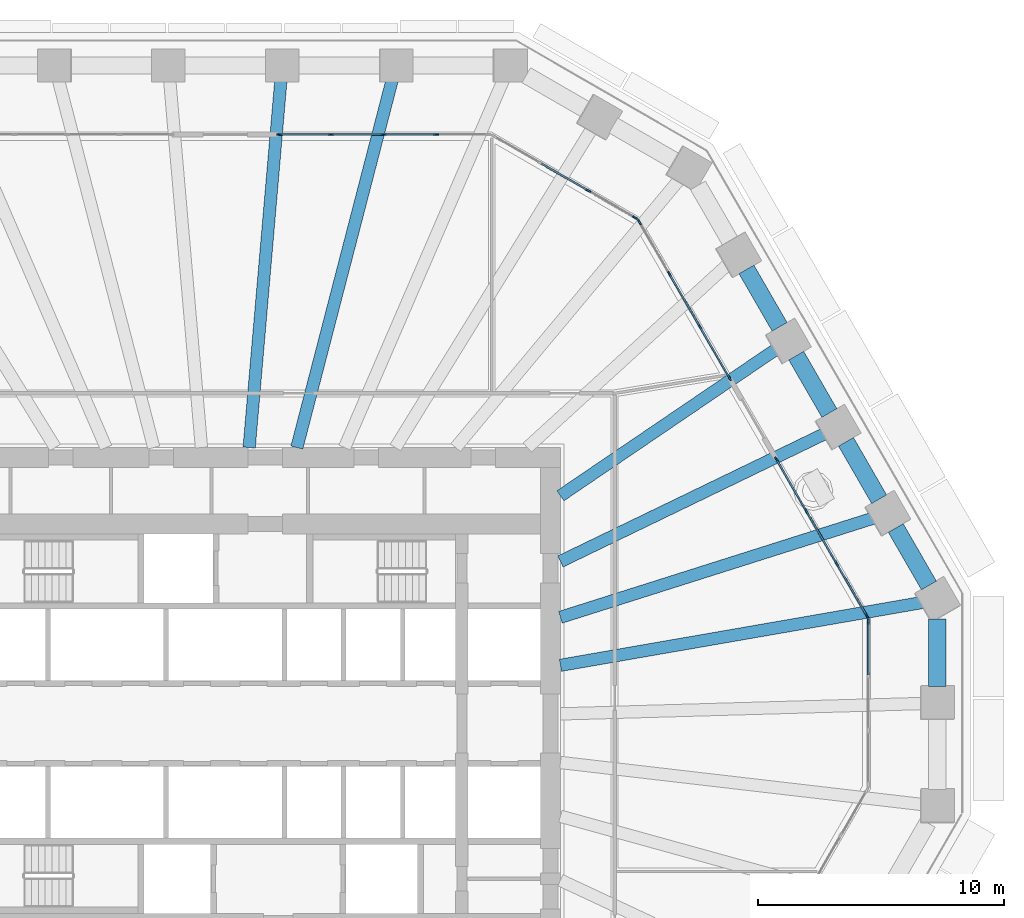
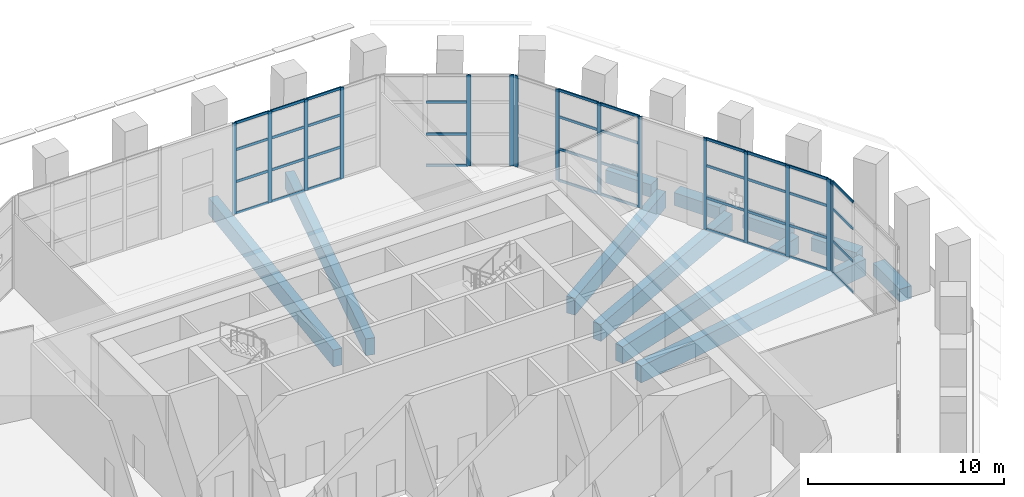
# One storey, part 8 of 22: 54 members, 11 beams, 5 elements without a shape of their own.
"""IFC4 building model written with IfcOpenShell, lengths in metres."""

from ifc_helpers import new_model, si_unit, direction, frame, origin, origin_2d, place, context, subcontext, project, spatial, rectangle, extrude, material, material_profile, profile_set, type_object, element, aggregate, save


model = new_model("IFC4")

# Units and contexts
model_context = context("Model", 3, precision=1e-05, world=origin(), true_north=direction((0.0, 1.0)))
body_context = subcontext(model_context, "Body", "Model", "MODEL_VIEW")
ifc_project = project(units=[si_unit("LENGTHUNIT", "METRE"), si_unit("AREAUNIT", "SQUARE_METRE"), si_unit("VOLUMEUNIT", "CUBIC_METRE"), si_unit("PLANEANGLEUNIT", "RADIAN"), si_unit("MASSUNIT", "GRAM", prefix="KILO")], contexts=[model_context])

# Site, building, storey
site_placement = place(None, origin())
site = spatial("IfcSite", under=ifc_project, at=site_placement, CompositionType="ELEMENT")
building_placement = place(site_placement, origin())
building = spatial("IfcBuilding", under=site, at=building_placement, Name="Frailejon Research Tower", CompositionType="ELEMENT")
storey_placement = place(building_placement, frame((0.0, 0.0, 107.199951171875)))
storey = spatial("IfcBuildingStorey", under=building, at=storey_placement, Name="L23", CompositionType="ELEMENT", Elevation=107.199951171875)

# Beams
ifc_material_1 = material(Name="Concrete C60/75", Category="concrete")
ifc_material_profile_1 = material_profile(ifc_material_1, rectangle(XDim=0.5, YDim=1.050048828125, at=origin_2d()), Name="Girder 500x1050")
ifc_profile_set_1 = profile_set([ifc_material_profile_1], Name="Concrete C60/75")
beam_type_1 = type_object("IfcBeamType", Name="Girder 500x1050", PredefinedType="BEAM", material=ifc_profile_set_1)
beam_1_placement = place(storey_placement, frame((28.331298828125, 4.919921875, -0.824951171875), z_axis=(-0.985255106545, -0.171091715249, 0.0), x_axis=(0.171091715249, -0.985255106545, 0.0)))
element("IfcBeam", 1, at=beam_1_placement, inside=storey, type_object=beam_type_1, Name="Girder 500x1050", PredefinedType="BEAM", context=body_context, shape_type="SweptSolid", body=[
    extrude(rectangle(XDim=0.5, YDim=1.050048828125, at=origin_2d()), origin(), (0.0, 0.0, 1.0), 14.95166015625),
])
beam_2_placement = place(storey_placement, frame((26.355712890625, 8.352783203125, -0.824951171875), z_axis=(-0.95327332269, -0.302109205832, 0.0), x_axis=(0.302109205832, -0.95327332269, 0.0)))
element("IfcBeam", 2, at=beam_2_placement, inside=storey, type_object=beam_type_1, Name="Girder 500x1050", PredefinedType="BEAM", context=body_context, shape_type="SweptSolid", body=[
    extrude(rectangle(XDim=0.5, YDim=1.050048828125, at=origin_2d()), origin(), (0.0, 0.0, 1.0), 13.380859375),
])
beam_3_placement = place(storey_placement, frame((24.377197265625, 11.785888671875, -0.824951171875), z_axis=(-0.900299270462, -0.435271436699, 0.0), x_axis=(0.435271436699, -0.900299270462, 0.0)))
element("IfcBeam", 3, at=beam_3_placement, inside=storey, type_object=beam_type_1, Name="Girder 500x1050", PredefinedType="BEAM", context=body_context, shape_type="SweptSolid", body=[
    extrude(rectangle(XDim=0.5, YDim=1.050048828125, at=origin_2d()), origin(), (0.0, 0.0, 1.0), 11.970458984375),
])
beam_4_placement = place(storey_placement, frame((22.3955078125, 15.21826171875, -0.824951171875), z_axis=(-0.827104527481, -0.562048130163, 0.0), x_axis=(0.562048130163, -0.827104527481, 0.0)))
element("IfcBeam", 4, at=beam_4_placement, inside=storey, type_object=beam_type_1, Name="Girder 500x1050", PredefinedType="BEAM", context=body_context, shape_type="SweptSolid", body=[
    extrude(rectangle(XDim=0.5, YDim=1.050048828125, at=origin_2d()), origin(), (0.0, 0.0, 1.0), 10.634033203125),
])
beam_5_placement = place(storey_placement, frame((6.785400390625, 26.170166015625, -0.824951171875), z_axis=(-0.25098790797, -0.967990222085, 0.0), x_axis=(0.967990222085, -0.25098790797, 0.0)))
element("IfcBeam", 5, at=beam_5_placement, inside=storey, type_object=beam_type_1, Name="Girder 500x1050", PredefinedType="BEAM", context=body_context, shape_type="SweptSolid", body=[
    extrude(rectangle(XDim=0.5, YDim=1.050048828125, at=origin_2d()), origin(), (0.0, 0.0, 1.0), 15.46533203125),
])
beam_6_placement = place(storey_placement, frame((2.26220703125, 26.17431640625, -0.824951171875), z_axis=(-0.086106007727, -0.996285980747, 0.0), x_axis=(0.996285980747, -0.086106007727, 0.0)))
element("IfcBeam", 6, at=beam_6_placement, inside=storey, type_object=beam_type_1, Name="Girder 500x1050", PredefinedType="BEAM", context=body_context, shape_type="SweptSolid", body=[
    extrude(rectangle(XDim=0.5, YDim=1.050048828125, at=origin_2d()), origin(), (0.0, 0.0, 1.0), 15.0302734375),
])

# Curtain wall, member
ifc_material_2 = material(Name="Aluminium curtain wall", Category="aluminium")
curtain_wall_type = type_object("IfcCurtainWallType", Name="Sky lobby curtain wall system", PredefinedType="NOTDEFINED", material=ifc_material_2)
curtain_wall_1_placement = place(storey_placement, origin())
curtain_wall_1 = element("IfcCurtainWall", 7, at=curtain_wall_1_placement, inside=storey, type_object=curtain_wall_type, Name="Curtain wall L23", PredefinedType="NOTDEFINED")
ifc_material_3 = material(Name="Aluminium extrusion", Category="aluminium")
ifc_material_profile_2 = material_profile(ifc_material_3, rectangle(XDim=0.070068359375, YDim=0.219970703125, at=origin_2d()), Name="Sky lobby curtain wall mullion 70x220")
ifc_profile_set_2 = profile_set([ifc_material_profile_2], Name="Aluminium extrusion")
member_type_1 = type_object("IfcMemberType", Name="Sky lobby curtain wall mullion 70x220", PredefinedType="MULLION", material=ifc_profile_set_2)
member_1_placement = place(storey_placement, frame((26.091796875, 4.132080078125, 0.0), z_axis=(0.0, 0.0, 1.0), x_axis=(-1.0, 0.0, 0.0)))
member_1 = element("IfcMember", 8, at=member_1_placement, type_object=member_type_1, Name="CW4-081 mullion 4", PredefinedType="MULLION", context=body_context, shape_type="SweptSolid", body=[
    extrude(rectangle(XDim=0.070068359375, YDim=0.219970703125, at=origin_2d()), origin(), (0.0, 0.0, 1.0), 5.699951171875),
])

# Curtain wall, members
curtain_wall_2_placement = place(storey_placement, origin())
curtain_wall_2 = element("IfcCurtainWall", 9, at=curtain_wall_2_placement, inside=storey, type_object=curtain_wall_type, Name="Curtain wall L23", PredefinedType="NOTDEFINED")
member_2_placement = place(storey_placement, frame((26.0244140625, 4.3837890625, 0.0), z_axis=(0.0, 0.0, 1.0), x_axis=(-0.866028320581, -0.499994947925, 0.0)))
member_2 = element("IfcMember", 10, at=member_2_placement, type_object=member_type_1, Name="CW4-082 mullion 1", PredefinedType="MULLION", context=body_context, shape_type="SweptSolid", body=[
    extrude(rectangle(XDim=0.070068359375, YDim=0.219970703125, at=origin_2d()), origin(), (0.0, 0.0, 1.0), 5.699951171875),
])
member_3_placement = place(storey_placement, frame((24.811767578125, 6.484130859375, 0.0), z_axis=(0.0, 0.0, 1.0), x_axis=(-0.866028320581, -0.499994947925, 0.0)))
member_3 = element("IfcMember", 11, at=member_3_placement, type_object=member_type_1, Name="CW4-082 mullion 2", PredefinedType="MULLION", context=body_context, shape_type="SweptSolid", body=[
    extrude(rectangle(XDim=0.070068359375, YDim=0.219970703125, at=origin_2d()), origin(), (0.0, 0.0, 1.0), 5.699951171875),
])
member_4_placement = place(storey_placement, frame((23.581787109375, 8.61474609375, 0.0), z_axis=(0.0, 0.0, 1.0), x_axis=(-0.866028320581, -0.499994947925, 0.0)))
member_4 = element("IfcMember", 12, at=member_4_placement, type_object=member_type_1, Name="CW4-082 mullion 3", PredefinedType="MULLION", context=body_context, shape_type="SweptSolid", body=[
    extrude(rectangle(XDim=0.070068359375, YDim=0.219970703125, at=origin_2d()), origin(), (0.0, 0.0, 1.0), 5.699951171875),
])
member_5_placement = place(storey_placement, frame((22.369140625, 10.715087890625, 0.0), z_axis=(0.0, 0.0, 1.0), x_axis=(-0.866028320581, -0.499994947925, 0.0)))
member_5 = element("IfcMember", 13, at=member_5_placement, type_object=member_type_1, Name="CW4-082 mullion 4", PredefinedType="MULLION", context=body_context, shape_type="SweptSolid", body=[
    extrude(rectangle(XDim=0.070068359375, YDim=0.219970703125, at=origin_2d()), origin(), (0.0, 0.0, 1.0), 5.699951171875),
])

curtain_wall_3_placement = place(storey_placement, origin())
curtain_wall_3 = element("IfcCurtainWall", 14, at=curtain_wall_3_placement, inside=storey, type_object=curtain_wall_type, Name="Curtain wall L23", PredefinedType="NOTDEFINED")
member_6_placement = place(storey_placement, frame((20.4638671875, 14.0146484375, 0.0), z_axis=(0.0, 0.0, 1.0), x_axis=(-0.866028320581, -0.499994947925, 0.0)))
member_6 = element("IfcMember", 15, at=member_6_placement, type_object=member_type_1, Name="CW4-083 mullion 1", PredefinedType="MULLION", context=body_context, shape_type="SweptSolid", body=[
    extrude(rectangle(XDim=0.070068359375, YDim=0.219970703125, at=origin_2d()), origin(), (0.0, 0.0, 1.0), 5.699951171875),
])
member_7_placement = place(storey_placement, frame((19.251220703125, 16.114990234375, 0.0), z_axis=(0.0, 0.0, 1.0), x_axis=(-0.866028320581, -0.499994947925, 0.0)))
member_7 = element("IfcMember", 16, at=member_7_placement, type_object=member_type_1, Name="CW4-083 mullion 2", PredefinedType="MULLION", context=body_context, shape_type="SweptSolid", body=[
    extrude(rectangle(XDim=0.070068359375, YDim=0.219970703125, at=origin_2d()), origin(), (0.0, 0.0, 1.0), 5.699951171875),
])
member_8_placement = place(storey_placement, frame((18.021240234375, 18.24560546875, 0.0), z_axis=(0.0, 0.0, 1.0), x_axis=(-0.866028320581, -0.499994947925, 0.0)))
member_8 = element("IfcMember", 17, at=member_8_placement, type_object=member_type_1, Name="CW4-083 mullion 3", PredefinedType="MULLION", context=body_context, shape_type="SweptSolid", body=[
    extrude(rectangle(XDim=0.070068359375, YDim=0.219970703125, at=origin_2d()), origin(), (0.0, 0.0, 1.0), 5.699951171875),
])
member_9_placement = place(storey_placement, frame((16.80859375, 20.345703125, 0.0), z_axis=(0.0, 0.0, 1.0), x_axis=(-0.866028320581, -0.499994947925, 0.0)))
member_9 = element("IfcMember", 18, at=member_9_placement, type_object=member_type_1, Name="CW4-083 mullion 4", PredefinedType="MULLION", context=body_context, shape_type="SweptSolid", body=[
    extrude(rectangle(XDim=0.070068359375, YDim=0.219970703125, at=origin_2d()), origin(), (0.0, 0.0, 1.0), 5.699951171875),
])

curtain_wall_4_placement = place(storey_placement, origin())
curtain_wall_4 = element("IfcCurtainWall", 19, at=curtain_wall_4_placement, inside=storey, type_object=curtain_wall_type, Name="Curtain wall L23", PredefinedType="NOTDEFINED")
member_10_placement = place(storey_placement, frame((16.624267578125, 20.5302734375, 0.0), z_axis=(0.0, 0.0, 1.0), x_axis=(-0.499998258782, -0.866026409075, 0.0)))
member_10 = element("IfcMember", 20, at=member_10_placement, type_object=member_type_1, Name="CW4-084 mullion 1", PredefinedType="MULLION", context=body_context, shape_type="SweptSolid", body=[
    extrude(rectangle(XDim=0.070068359375, YDim=0.219970703125, at=origin_2d()), origin(), (0.0, 0.0, 1.0), 5.699951171875),
])
member_11_placement = place(storey_placement, frame((14.727783203125, 21.625244140625, 0.0), z_axis=(0.0, 0.0, 1.0), x_axis=(-0.499998258782, -0.866026409075, 0.0)))
member_11 = element("IfcMember", 21, at=member_11_placement, type_object=member_type_1, Name="CW4-084 mullion 2", PredefinedType="MULLION", context=body_context, shape_type="SweptSolid", body=[
    extrude(rectangle(XDim=0.070068359375, YDim=0.219970703125, at=origin_2d()), origin(), (0.0, 0.0, 1.0), 5.699951171875),
])

curtain_wall_5_placement = place(storey_placement, origin())
curtain_wall_5 = element("IfcCurtainWall", 22, at=curtain_wall_5_placement, inside=storey, type_object=curtain_wall_type, Name="Curtain wall L23", PredefinedType="NOTDEFINED")
member_12_placement = place(storey_placement, frame((8.55517578125, 23.89990234375, 0.0), z_axis=(0.0, 0.0, 1.0), x_axis=(0.0, -1.0, 0.0)))
member_12 = element("IfcMember", 23, at=member_12_placement, type_object=member_type_1, Name="CW4-085 mullion 2", PredefinedType="MULLION", context=body_context, shape_type="SweptSolid", body=[
    extrude(rectangle(XDim=0.070068359375, YDim=0.219970703125, at=origin_2d()), origin(), (0.0, 0.0, 1.0), 5.699951171875),
])
member_13_placement = place(storey_placement, frame((6.422607421875, 23.89990234375, 0.0), z_axis=(0.0, 0.0, 1.0), x_axis=(0.0, -1.0, 0.0)))
member_13 = element("IfcMember", 24, at=member_13_placement, type_object=member_type_1, Name="CW4-085 mullion 3", PredefinedType="MULLION", context=body_context, shape_type="SweptSolid", body=[
    extrude(rectangle(XDim=0.070068359375, YDim=0.219970703125, at=origin_2d()), origin(), (0.0, 0.0, 1.0), 5.699951171875),
])
member_14_placement = place(storey_placement, frame((4.2900390625, 23.89990234375, 0.0), z_axis=(0.0, 0.0, 1.0), x_axis=(0.0, -1.0, 0.0)))
member_14 = element("IfcMember", 25, at=member_14_placement, type_object=member_type_1, Name="CW4-085 mullion 4", PredefinedType="MULLION", context=body_context, shape_type="SweptSolid", body=[
    extrude(rectangle(XDim=0.070068359375, YDim=0.219970703125, at=origin_2d()), origin(), (0.0, 0.0, 1.0), 5.699951171875),
])
member_15_placement = place(storey_placement, frame((2.1923828125, 23.89990234375, 0.0), z_axis=(0.0, 0.0, 1.0), x_axis=(0.0, -1.0, 0.0)))
member_15 = element("IfcMember", 26, at=member_15_placement, type_object=member_type_1, Name="CW4-085 mullion 5", PredefinedType="MULLION", context=body_context, shape_type="SweptSolid", body=[
    extrude(rectangle(XDim=0.070068359375, YDim=0.219970703125, at=origin_2d()), origin(), (0.0, 0.0, 1.0), 5.699951171875),
])

# Member
ifc_material_4 = material(Name="Aluminium extrusion", Category="aluminium")
ifc_material_profile_3 = material_profile(ifc_material_4, rectangle(XDim=0.070068359375, YDim=0.159912109375, at=origin_2d()), Name="Sky lobby curtain wall transom 70x160")
ifc_profile_set_3 = profile_set([ifc_material_profile_3], Name="Aluminium extrusion")
member_type_2 = type_object("IfcMemberType", Name="Sky lobby curtain wall transom 70x160", PredefinedType="USERDEFINED", material=ifc_profile_set_3)
member_16_placement = place(storey_placement, frame((26.091796875, 1.97705078125, 0.03515625), z_axis=(0.0, 1.0, 0.0), x_axis=(-1.0, 0.0, 0.0)))
member_16 = element("IfcMember", 27, at=member_16_placement, type_object=member_type_2, Name="CW4-081 transom 3.1", ObjectType="TRANSOM", PredefinedType="USERDEFINED", context=body_context, shape_type="SweptSolid", body=[
    extrude(rectangle(XDim=0.070068359375, YDim=0.159912109375, at=origin_2d()), origin(), (0.0, 0.0, 1.0), 2.119873046875),
])

member_17_placement = place(storey_placement, frame((26.091796875, 1.97705078125, 2.0), z_axis=(0.0, 1.0, 0.0), x_axis=(-1.0, 0.0, 0.0)))
member_17 = element("IfcMember", 28, at=member_17_placement, type_object=member_type_2, Name="CW4-081 transom 3.2", ObjectType="TRANSOM", PredefinedType="USERDEFINED", context=body_context, shape_type="SweptSolid", body=[
    extrude(rectangle(XDim=0.070068359375, YDim=0.159912109375, at=origin_2d()), origin(), (0.0, 0.0, 1.0), 2.119873046875),
])

member_18_placement = place(storey_placement, frame((26.091796875, 1.97705078125, 4.0), z_axis=(0.0, 1.0, 0.0), x_axis=(-1.0, 0.0, 0.0)))
member_18 = element("IfcMember", 29, at=member_18_placement, type_object=member_type_2, Name="CW4-081 transom 3.3", ObjectType="TRANSOM", PredefinedType="USERDEFINED", context=body_context, shape_type="SweptSolid", body=[
    extrude(rectangle(XDim=0.070068359375, YDim=0.159912109375, at=origin_2d()), origin(), (0.0, 0.0, 1.0), 2.119873046875),
])

member_19_placement = place(storey_placement, frame((26.091796875, 1.97705078125, 5.6650390625), z_axis=(0.0, 1.0, 0.0), x_axis=(-1.0, 0.0, 0.0)))
member_19 = element("IfcMember", 30, at=member_19_placement, type_object=member_type_2, Name="CW4-081 transom 3.4", ObjectType="TRANSOM", PredefinedType="USERDEFINED", context=body_context, shape_type="SweptSolid", body=[
    extrude(rectangle(XDim=0.070068359375, YDim=0.159912109375, at=origin_2d()), origin(), (0.0, 0.0, 1.0), 2.119873046875),
])

aggregate(curtain_wall_1, [member_1, member_16, member_17, member_18, member_19])

member_20_placement = place(storey_placement, frame((26.0068359375, 4.414306640625, 0.03515625), z_axis=(-0.499985682323, 0.866033669941, 0.0), x_axis=(-0.866033669941, -0.499985682323, 0.0)))
member_20 = element("IfcMember", 31, at=member_20_placement, type_object=member_type_2, Name="CW4-082 transom 1.1", ObjectType="TRANSOM", PredefinedType="USERDEFINED", context=body_context, shape_type="SweptSolid", body=[
    extrude(rectangle(XDim=0.070068359375, YDim=0.159912109375, at=origin_2d()), origin(), (0.0, 0.0, 1.0), 2.35498046875),
])

member_21_placement = place(storey_placement, frame((26.0068359375, 4.414306640625, 2.0), z_axis=(-0.499985682323, 0.866033669941, 0.0), x_axis=(-0.866033669941, -0.499985682323, 0.0)))
member_21 = element("IfcMember", 32, at=member_21_placement, type_object=member_type_2, Name="CW4-082 transom 1.2", ObjectType="TRANSOM", PredefinedType="USERDEFINED", context=body_context, shape_type="SweptSolid", body=[
    extrude(rectangle(XDim=0.070068359375, YDim=0.159912109375, at=origin_2d()), origin(), (0.0, 0.0, 1.0), 2.35498046875),
])

member_22_placement = place(storey_placement, frame((26.0068359375, 4.414306640625, 4.0), z_axis=(-0.499985682323, 0.866033669941, 0.0), x_axis=(-0.866033669941, -0.499985682323, 0.0)))
member_22 = element("IfcMember", 33, at=member_22_placement, type_object=member_type_2, Name="CW4-082 transom 1.3", ObjectType="TRANSOM", PredefinedType="USERDEFINED", context=body_context, shape_type="SweptSolid", body=[
    extrude(rectangle(XDim=0.070068359375, YDim=0.159912109375, at=origin_2d()), origin(), (0.0, 0.0, 1.0), 2.35498046875),
])

member_23_placement = place(storey_placement, frame((26.0068359375, 4.414306640625, 5.6650390625), z_axis=(-0.499985682323, 0.866033669941, 0.0), x_axis=(-0.866033669941, -0.499985682323, 0.0)))
member_23 = element("IfcMember", 34, at=member_23_placement, type_object=member_type_2, Name="CW4-082 transom 1.4", ObjectType="TRANSOM", PredefinedType="USERDEFINED", context=body_context, shape_type="SweptSolid", body=[
    extrude(rectangle(XDim=0.070068359375, YDim=0.159912109375, at=origin_2d()), origin(), (0.0, 0.0, 1.0), 2.35498046875),
])

member_24_placement = place(storey_placement, frame((24.794189453125, 6.514404296875, 0.03515625), z_axis=(-0.499972963492, 0.866041012757, 0.0), x_axis=(-0.866041012757, -0.499972963492, 0.0)))
member_24 = element("IfcMember", 35, at=member_24_placement, type_object=member_type_2, Name="CW4-082 transom 2.1", ObjectType="TRANSOM", PredefinedType="USERDEFINED", context=body_context, shape_type="SweptSolid", body=[
    extrude(rectangle(XDim=0.070068359375, YDim=0.159912109375, at=origin_2d()), origin(), (0.0, 0.0, 1.0), 2.390380859375),
])

member_25_placement = place(storey_placement, frame((24.794189453125, 6.514404296875, 2.0), z_axis=(-0.499972963492, 0.866041012757, 0.0), x_axis=(-0.866041012757, -0.499972963492, 0.0)))
member_25 = element("IfcMember", 36, at=member_25_placement, type_object=member_type_2, Name="CW4-082 transom 2.2", ObjectType="TRANSOM", PredefinedType="USERDEFINED", context=body_context, shape_type="SweptSolid", body=[
    extrude(rectangle(XDim=0.070068359375, YDim=0.159912109375, at=origin_2d()), origin(), (0.0, 0.0, 1.0), 2.390380859375),
])

member_26_placement = place(storey_placement, frame((24.794189453125, 6.514404296875, 4.0), z_axis=(-0.499972963492, 0.866041012757, 0.0), x_axis=(-0.866041012757, -0.499972963492, 0.0)))
member_26 = element("IfcMember", 37, at=member_26_placement, type_object=member_type_2, Name="CW4-082 transom 2.3", ObjectType="TRANSOM", PredefinedType="USERDEFINED", context=body_context, shape_type="SweptSolid", body=[
    extrude(rectangle(XDim=0.070068359375, YDim=0.159912109375, at=origin_2d()), origin(), (0.0, 0.0, 1.0), 2.390380859375),
])

member_27_placement = place(storey_placement, frame((24.794189453125, 6.514404296875, 5.6650390625), z_axis=(-0.499972963492, 0.866041012757, 0.0), x_axis=(-0.866041012757, -0.499972963492, 0.0)))
member_27 = element("IfcMember", 38, at=member_27_placement, type_object=member_type_2, Name="CW4-082 transom 2.4", ObjectType="TRANSOM", PredefinedType="USERDEFINED", context=body_context, shape_type="SweptSolid", body=[
    extrude(rectangle(XDim=0.070068359375, YDim=0.159912109375, at=origin_2d()), origin(), (0.0, 0.0, 1.0), 2.390380859375),
])

member_28_placement = place(storey_placement, frame((23.564208984375, 8.64501953125, 0.03515625), z_axis=(-0.499985682323, 0.866033669941, 0.0), x_axis=(-0.866033669941, -0.499985682323, 0.0)))
member_28 = element("IfcMember", 39, at=member_28_placement, type_object=member_type_2, Name="CW4-082 transom 3.1", ObjectType="TRANSOM", PredefinedType="USERDEFINED", context=body_context, shape_type="SweptSolid", body=[
    extrude(rectangle(XDim=0.070068359375, YDim=0.159912109375, at=origin_2d()), origin(), (0.0, 0.0, 1.0), 2.35498046875),
])

member_29_placement = place(storey_placement, frame((23.564208984375, 8.64501953125, 2.0), z_axis=(-0.499985682323, 0.866033669941, 0.0), x_axis=(-0.866033669941, -0.499985682323, 0.0)))
member_29 = element("IfcMember", 40, at=member_29_placement, type_object=member_type_2, Name="CW4-082 transom 3.2", ObjectType="TRANSOM", PredefinedType="USERDEFINED", context=body_context, shape_type="SweptSolid", body=[
    extrude(rectangle(XDim=0.070068359375, YDim=0.159912109375, at=origin_2d()), origin(), (0.0, 0.0, 1.0), 2.35498046875),
])

member_30_placement = place(storey_placement, frame((23.564208984375, 8.64501953125, 4.0), z_axis=(-0.499985682323, 0.866033669941, 0.0), x_axis=(-0.866033669941, -0.499985682323, 0.0)))
member_30 = element("IfcMember", 41, at=member_30_placement, type_object=member_type_2, Name="CW4-082 transom 3.3", ObjectType="TRANSOM", PredefinedType="USERDEFINED", context=body_context, shape_type="SweptSolid", body=[
    extrude(rectangle(XDim=0.070068359375, YDim=0.159912109375, at=origin_2d()), origin(), (0.0, 0.0, 1.0), 2.35498046875),
])

member_31_placement = place(storey_placement, frame((23.564208984375, 8.64501953125, 5.6650390625), z_axis=(-0.499985682323, 0.866033669941, 0.0), x_axis=(-0.866033669941, -0.499985682323, 0.0)))
member_31 = element("IfcMember", 42, at=member_31_placement, type_object=member_type_2, Name="CW4-082 transom 3.4", ObjectType="TRANSOM", PredefinedType="USERDEFINED", context=body_context, shape_type="SweptSolid", body=[
    extrude(rectangle(XDim=0.070068359375, YDim=0.159912109375, at=origin_2d()), origin(), (0.0, 0.0, 1.0), 2.35498046875),
])

aggregate(curtain_wall_2, [member_2, member_3, member_4, member_5, member_20, member_21, member_22, member_23, member_24, member_25, member_26, member_27, member_28, member_29, member_30, member_31])

member_32_placement = place(storey_placement, frame((20.4462890625, 14.044921875, 0.03515625), z_axis=(-0.499940797434, 0.866059581704, 0.0), x_axis=(-0.866059581704, -0.499940797434, 0.0)))
member_32 = element("IfcMember", 43, at=member_32_placement, type_object=member_type_2, Name="CW4-083 transom 1.1", ObjectType="TRANSOM", PredefinedType="USERDEFINED", context=body_context, shape_type="SweptSolid", body=[
    extrude(rectangle(XDim=0.070068359375, YDim=0.159912109375, at=origin_2d()), origin(), (0.0, 0.0, 1.0), 2.355224609375),
])

member_33_placement = place(storey_placement, frame((20.4462890625, 14.044921875, 2.0), z_axis=(-0.499940797434, 0.866059581704, 0.0), x_axis=(-0.866059581704, -0.499940797434, 0.0)))
member_33 = element("IfcMember", 44, at=member_33_placement, type_object=member_type_2, Name="CW4-083 transom 1.2", ObjectType="TRANSOM", PredefinedType="USERDEFINED", context=body_context, shape_type="SweptSolid", body=[
    extrude(rectangle(XDim=0.070068359375, YDim=0.159912109375, at=origin_2d()), origin(), (0.0, 0.0, 1.0), 2.355224609375),
])

member_34_placement = place(storey_placement, frame((20.4462890625, 14.044921875, 4.0), z_axis=(-0.499940797434, 0.866059581704, 0.0), x_axis=(-0.866059581704, -0.499940797434, 0.0)))
member_34 = element("IfcMember", 45, at=member_34_placement, type_object=member_type_2, Name="CW4-083 transom 1.3", ObjectType="TRANSOM", PredefinedType="USERDEFINED", context=body_context, shape_type="SweptSolid", body=[
    extrude(rectangle(XDim=0.070068359375, YDim=0.159912109375, at=origin_2d()), origin(), (0.0, 0.0, 1.0), 2.355224609375),
])

member_35_placement = place(storey_placement, frame((20.4462890625, 14.044921875, 5.6650390625), z_axis=(-0.499940797434, 0.866059581704, 0.0), x_axis=(-0.866059581704, -0.499940797434, 0.0)))
member_35 = element("IfcMember", 46, at=member_35_placement, type_object=member_type_2, Name="CW4-083 transom 1.4", ObjectType="TRANSOM", PredefinedType="USERDEFINED", context=body_context, shape_type="SweptSolid", body=[
    extrude(rectangle(XDim=0.070068359375, YDim=0.159912109375, at=origin_2d()), origin(), (0.0, 0.0, 1.0), 2.355224609375),
])

member_36_placement = place(storey_placement, frame((19.23388671875, 16.145263671875, 0.03515625), z_axis=(-0.499972963492, 0.866041012757, 0.0), x_axis=(-0.866041012757, -0.499972963492, 0.0)))
member_36 = element("IfcMember", 47, at=member_36_placement, type_object=member_type_2, Name="CW4-083 transom 2.1", ObjectType="TRANSOM", PredefinedType="USERDEFINED", context=body_context, shape_type="SweptSolid", body=[
    extrude(rectangle(XDim=0.070068359375, YDim=0.159912109375, at=origin_2d()), origin(), (0.0, 0.0, 1.0), 2.390380859375),
])

member_37_placement = place(storey_placement, frame((19.23388671875, 16.145263671875, 2.0), z_axis=(-0.499972963492, 0.866041012757, 0.0), x_axis=(-0.866041012757, -0.499972963492, 0.0)))
member_37 = element("IfcMember", 48, at=member_37_placement, type_object=member_type_2, Name="CW4-083 transom 2.2", ObjectType="TRANSOM", PredefinedType="USERDEFINED", context=body_context, shape_type="SweptSolid", body=[
    extrude(rectangle(XDim=0.070068359375, YDim=0.159912109375, at=origin_2d()), origin(), (0.0, 0.0, 1.0), 2.390380859375),
])

member_38_placement = place(storey_placement, frame((19.23388671875, 16.145263671875, 4.0), z_axis=(-0.499972963492, 0.866041012757, 0.0), x_axis=(-0.866041012757, -0.499972963492, 0.0)))
member_38 = element("IfcMember", 49, at=member_38_placement, type_object=member_type_2, Name="CW4-083 transom 2.3", ObjectType="TRANSOM", PredefinedType="USERDEFINED", context=body_context, shape_type="SweptSolid", body=[
    extrude(rectangle(XDim=0.070068359375, YDim=0.159912109375, at=origin_2d()), origin(), (0.0, 0.0, 1.0), 2.390380859375),
])

member_39_placement = place(storey_placement, frame((19.23388671875, 16.145263671875, 5.6650390625), z_axis=(-0.499972963492, 0.866041012757, 0.0), x_axis=(-0.866041012757, -0.499972963492, 0.0)))
member_39 = element("IfcMember", 50, at=member_39_placement, type_object=member_type_2, Name="CW4-083 transom 2.4", ObjectType="TRANSOM", PredefinedType="USERDEFINED", context=body_context, shape_type="SweptSolid", body=[
    extrude(rectangle(XDim=0.070068359375, YDim=0.159912109375, at=origin_2d()), origin(), (0.0, 0.0, 1.0), 2.390380859375),
])

aggregate(curtain_wall_3, [member_6, member_7, member_8, member_9, member_32, member_33, member_34, member_35, member_36, member_37, member_38, member_39])

member_40_placement = place(storey_placement, frame((14.697509765625, 21.642578125, 0.03515625), z_axis=(-0.866038426532, 0.499977443261, 0.0), x_axis=(-0.499977443261, -0.866038426532, 0.0)))
member_40 = element("IfcMember", 51, at=member_40_placement, type_object=member_type_2, Name="CW4-084 transom 2.1", ObjectType="TRANSOM", PredefinedType="USERDEFINED", context=body_context, shape_type="SweptSolid", body=[
    extrude(rectangle(XDim=0.070068359375, YDim=0.159912109375, at=origin_2d()), origin(), (0.0, 0.0, 1.0), 2.15478515625),
])

member_41_placement = place(storey_placement, frame((14.697509765625, 21.642578125, 2.0), z_axis=(-0.866038426532, 0.499977443261, 0.0), x_axis=(-0.499977443261, -0.866038426532, 0.0)))
member_41 = element("IfcMember", 52, at=member_41_placement, type_object=member_type_2, Name="CW4-084 transom 2.2", ObjectType="TRANSOM", PredefinedType="USERDEFINED", context=body_context, shape_type="SweptSolid", body=[
    extrude(rectangle(XDim=0.070068359375, YDim=0.159912109375, at=origin_2d()), origin(), (0.0, 0.0, 1.0), 2.15478515625),
])

member_42_placement = place(storey_placement, frame((14.697509765625, 21.642578125, 4.0), z_axis=(-0.866038426532, 0.499977443261, 0.0), x_axis=(-0.499977443261, -0.866038426532, 0.0)))
member_42 = element("IfcMember", 53, at=member_42_placement, type_object=member_type_2, Name="CW4-084 transom 2.3", ObjectType="TRANSOM", PredefinedType="USERDEFINED", context=body_context, shape_type="SweptSolid", body=[
    extrude(rectangle(XDim=0.070068359375, YDim=0.159912109375, at=origin_2d()), origin(), (0.0, 0.0, 1.0), 2.15478515625),
])

aggregate(curtain_wall_4, [member_10, member_11, member_40, member_41, member_42])

member_43_placement = place(storey_placement, frame((8.52001953125, 23.89990234375, 0.03515625), z_axis=(-1.0, 0.0, 0.0), x_axis=(0.0, -1.0, 0.0)))
member_43 = element("IfcMember", 54, at=member_43_placement, type_object=member_type_2, Name="CW4-085 transom 2.1", ObjectType="TRANSOM", PredefinedType="USERDEFINED", context=body_context, shape_type="SweptSolid", body=[
    extrude(rectangle(XDim=0.070068359375, YDim=0.159912109375, at=origin_2d()), origin(), (0.0, 0.0, 1.0), 2.0625),
])

member_44_placement = place(storey_placement, frame((8.52001953125, 23.89990234375, 2.0), z_axis=(-1.0, 0.0, 0.0), x_axis=(0.0, -1.0, 0.0)))
member_44 = element("IfcMember", 55, at=member_44_placement, type_object=member_type_2, Name="CW4-085 transom 2.2", ObjectType="TRANSOM", PredefinedType="USERDEFINED", context=body_context, shape_type="SweptSolid", body=[
    extrude(rectangle(XDim=0.070068359375, YDim=0.159912109375, at=origin_2d()), origin(), (0.0, 0.0, 1.0), 2.0625),
])

member_45_placement = place(storey_placement, frame((8.52001953125, 23.89990234375, 4.0), z_axis=(-1.0, 0.0, 0.0), x_axis=(0.0, -1.0, 0.0)))
member_45 = element("IfcMember", 56, at=member_45_placement, type_object=member_type_2, Name="CW4-085 transom 2.3", ObjectType="TRANSOM", PredefinedType="USERDEFINED", context=body_context, shape_type="SweptSolid", body=[
    extrude(rectangle(XDim=0.070068359375, YDim=0.159912109375, at=origin_2d()), origin(), (0.0, 0.0, 1.0), 2.0625),
])

member_46_placement = place(storey_placement, frame((8.52001953125, 23.89990234375, 5.6650390625), z_axis=(-1.0, 0.0, 0.0), x_axis=(0.0, -1.0, 0.0)))
member_46 = element("IfcMember", 57, at=member_46_placement, type_object=member_type_2, Name="CW4-085 transom 2.4", ObjectType="TRANSOM", PredefinedType="USERDEFINED", context=body_context, shape_type="SweptSolid", body=[
    extrude(rectangle(XDim=0.070068359375, YDim=0.159912109375, at=origin_2d()), origin(), (0.0, 0.0, 1.0), 2.0625),
])

member_47_placement = place(storey_placement, frame((6.387451171875, 23.89990234375, 0.03515625), z_axis=(-1.0, 0.0, 0.0), x_axis=(0.0, -1.0, 0.0)))
member_47 = element("IfcMember", 58, at=member_47_placement, type_object=member_type_2, Name="CW4-085 transom 3.1", ObjectType="TRANSOM", PredefinedType="USERDEFINED", context=body_context, shape_type="SweptSolid", body=[
    extrude(rectangle(XDim=0.070068359375, YDim=0.159912109375, at=origin_2d()), origin(), (0.0, 0.0, 1.0), 2.0625),
])

member_48_placement = place(storey_placement, frame((6.387451171875, 23.89990234375, 2.0), z_axis=(-1.0, 0.0, 0.0), x_axis=(0.0, -1.0, 0.0)))
member_48 = element("IfcMember", 59, at=member_48_placement, type_object=member_type_2, Name="CW4-085 transom 3.2", ObjectType="TRANSOM", PredefinedType="USERDEFINED", context=body_context, shape_type="SweptSolid", body=[
    extrude(rectangle(XDim=0.070068359375, YDim=0.159912109375, at=origin_2d()), origin(), (0.0, 0.0, 1.0), 2.0625),
])

member_49_placement = place(storey_placement, frame((6.387451171875, 23.89990234375, 4.0), z_axis=(-1.0, 0.0, 0.0), x_axis=(0.0, -1.0, 0.0)))
member_49 = element("IfcMember", 60, at=member_49_placement, type_object=member_type_2, Name="CW4-085 transom 3.3", ObjectType="TRANSOM", PredefinedType="USERDEFINED", context=body_context, shape_type="SweptSolid", body=[
    extrude(rectangle(XDim=0.070068359375, YDim=0.159912109375, at=origin_2d()), origin(), (0.0, 0.0, 1.0), 2.0625),
])

member_50_placement = place(storey_placement, frame((6.387451171875, 23.89990234375, 5.6650390625), z_axis=(-1.0, 0.0, 0.0), x_axis=(0.0, -1.0, 0.0)))
member_50 = element("IfcMember", 61, at=member_50_placement, type_object=member_type_2, Name="CW4-085 transom 3.4", ObjectType="TRANSOM", PredefinedType="USERDEFINED", context=body_context, shape_type="SweptSolid", body=[
    extrude(rectangle(XDim=0.070068359375, YDim=0.159912109375, at=origin_2d()), origin(), (0.0, 0.0, 1.0), 2.0625),
])

member_51_placement = place(storey_placement, frame((4.255126953125, 23.89990234375, 0.03515625), z_axis=(-1.0, 0.0, 0.0), x_axis=(0.0, -1.0, 0.0)))
member_51 = element("IfcMember", 62, at=member_51_placement, type_object=member_type_2, Name="CW4-085 transom 4.1", ObjectType="TRANSOM", PredefinedType="USERDEFINED", context=body_context, shape_type="SweptSolid", body=[
    extrude(rectangle(XDim=0.070068359375, YDim=0.159912109375, at=origin_2d()), origin(), (0.0, 0.0, 1.0), 2.027587890625),
])

member_52_placement = place(storey_placement, frame((4.255126953125, 23.89990234375, 2.0), z_axis=(-1.0, 0.0, 0.0), x_axis=(0.0, -1.0, 0.0)))
member_52 = element("IfcMember", 63, at=member_52_placement, type_object=member_type_2, Name="CW4-085 transom 4.2", ObjectType="TRANSOM", PredefinedType="USERDEFINED", context=body_context, shape_type="SweptSolid", body=[
    extrude(rectangle(XDim=0.070068359375, YDim=0.159912109375, at=origin_2d()), origin(), (0.0, 0.0, 1.0), 2.027587890625),
])

member_53_placement = place(storey_placement, frame((4.255126953125, 23.89990234375, 4.0), z_axis=(-1.0, 0.0, 0.0), x_axis=(0.0, -1.0, 0.0)))
member_53 = element("IfcMember", 64, at=member_53_placement, type_object=member_type_2, Name="CW4-085 transom 4.3", ObjectType="TRANSOM", PredefinedType="USERDEFINED", context=body_context, shape_type="SweptSolid", body=[
    extrude(rectangle(XDim=0.070068359375, YDim=0.159912109375, at=origin_2d()), origin(), (0.0, 0.0, 1.0), 2.027587890625),
])

member_54_placement = place(storey_placement, frame((4.255126953125, 23.89990234375, 5.6650390625), z_axis=(-1.0, 0.0, 0.0), x_axis=(0.0, -1.0, 0.0)))
member_54 = element("IfcMember", 65, at=member_54_placement, type_object=member_type_2, Name="CW4-085 transom 4.4", ObjectType="TRANSOM", PredefinedType="USERDEFINED", context=body_context, shape_type="SweptSolid", body=[
    extrude(rectangle(XDim=0.070068359375, YDim=0.159912109375, at=origin_2d()), origin(), (0.0, 0.0, 1.0), 2.027587890625),
])

aggregate(curtain_wall_5, [member_12, member_13, member_14, member_15, member_43, member_44, member_45, member_46, member_47, member_48, member_49, member_50, member_51, member_52, member_53, member_54])

# Beams
ifc_material_5 = material(Name="Concrete C60/75", Category="concrete")
ifc_material_profile_4 = material_profile(ifc_material_5, rectangle(XDim=0.699951171875, YDim=0.800048828125, at=origin_2d()), Name="Spandrel 700x800")
ifc_profile_set_4 = profile_set([ifc_material_profile_4], Name="Concrete C60/75")
beam_type_2 = type_object("IfcBeamType", Name="Spandrel 700x800", PredefinedType="BEAM", material=ifc_profile_set_4)
beam_7_placement = place(storey_placement, frame((28.891845703125, 1.504638671875, -0.75), z_axis=(0.0, 1.0, 0.0), x_axis=(-1.0, 0.0, 0.0)))
element("IfcBeam", 66, at=beam_7_placement, inside=storey, type_object=beam_type_2, Name="Spandrel 700x800", PredefinedType="BEAM", context=body_context, shape_type="SweptSolid", body=[
    extrude(rectangle(XDim=0.699951171875, YDim=0.800048828125, at=origin_2d()), origin(), (0.0, 0.0, 1.0), 2.733154296875),
])
for number, where, z_axis, x_axis, name in (
    (67, (28.55419921875, 5.601806640625, -0.75), (-0.500023574959, 0.866011792348, 0.0), (-0.866011792348, -0.500023574959, 0.0), "Spandrel 700x800"),
    (68, (26.5341796875, 9.100830078125, -0.75), (-0.500023574959, 0.866011792348, 0.0), (-0.866011792348, -0.500023574959, 0.0), "Spandrel 700x800"),
    (69, (24.513916015625, 12.599853515625, -0.75), (-0.500023574959, 0.866011792348, 0.0), (-0.866011792348, -0.500023574959, 0.0), "Spandrel 700x800"),
    (70, (22.493896484375, 16.098876953125, -0.75), (-0.500023574959, 0.866011792348, 0.0), (-0.866011792348, -0.500023574959, 0.0), "Spandrel 700x800"),
):
    element("IfcBeam", number, at=place(storey_placement, frame(where, z_axis=z_axis, x_axis=x_axis)), inside=storey, type_object=beam_type_2, Name=name, PredefinedType="BEAM", context=body_context, shape_type="SweptSolid", body=[
        extrude(rectangle(XDim=0.699951171875, YDim=0.800048828125, at=origin_2d()), origin(), (0.0, 0.0, 1.0), 2.690185546875),
    ])

save(model, "model.ifc")
